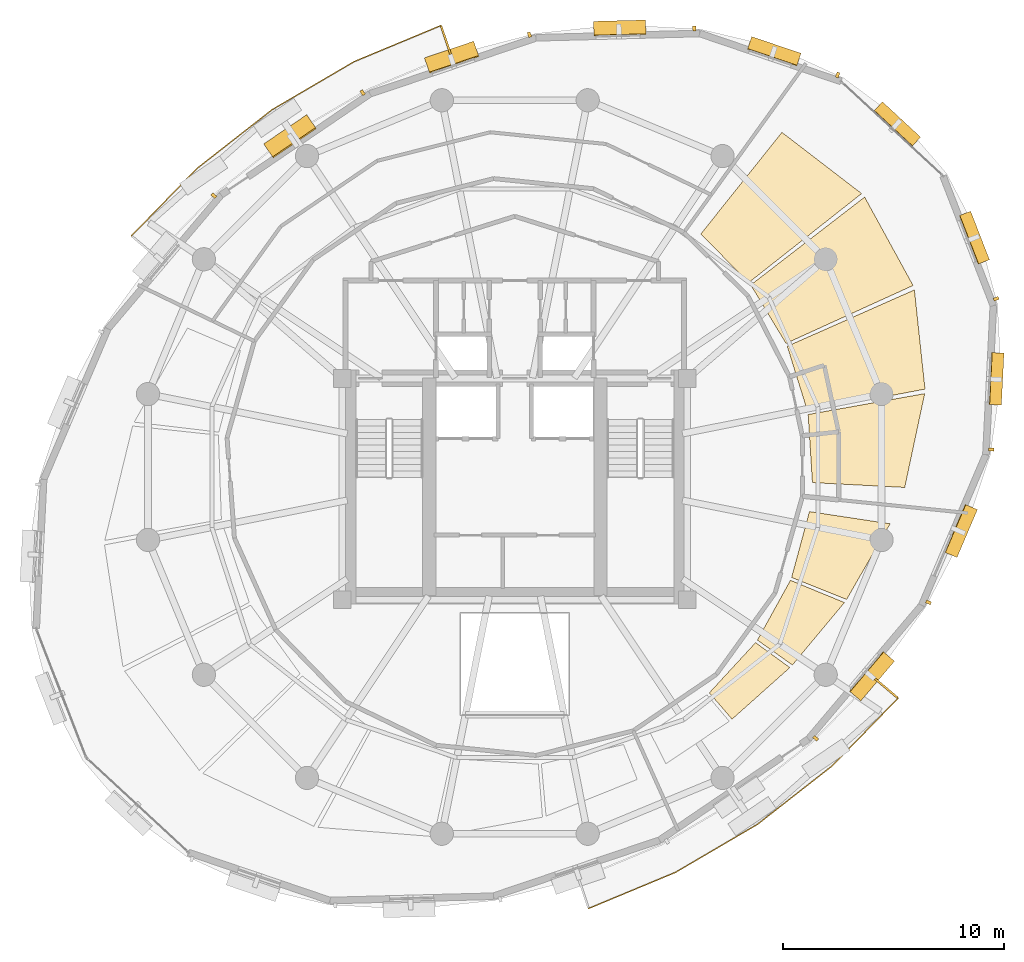
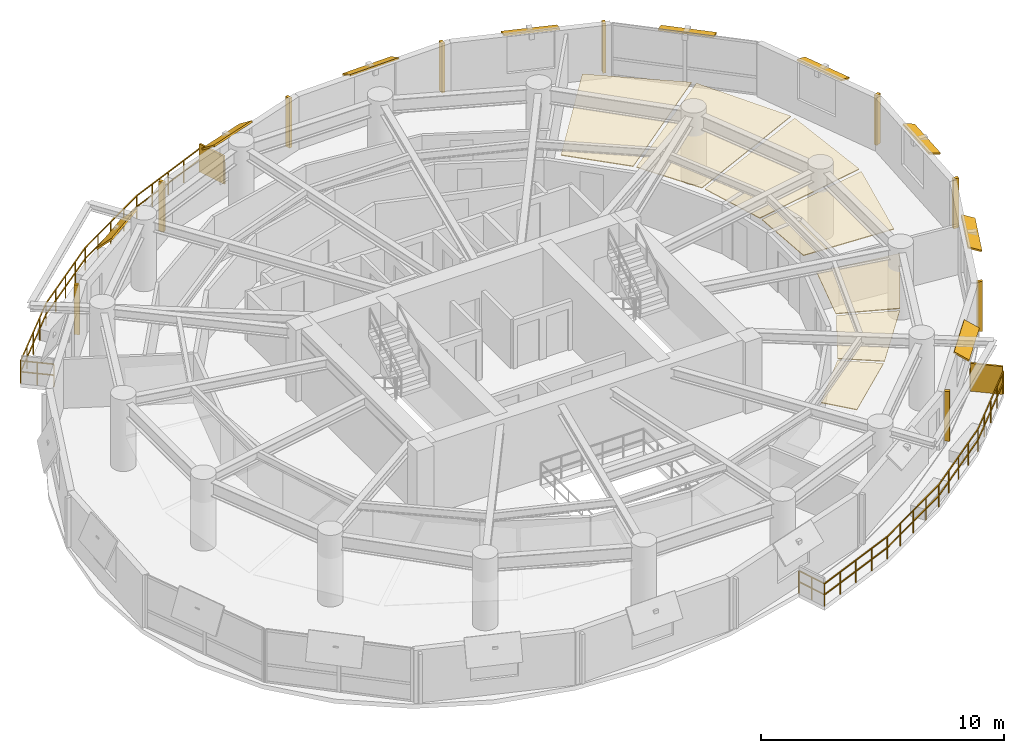
# One storey, part 12 of 12: 20 shading devices, 7 coverings, 2 railings.
"""IFC4 building model written with IfcOpenShell, lengths in metres."""

from ifc_helpers import new_model, si_unit, direction, frame, origin, origin_2d, place, context, subcontext, project, spatial, polyline, rectangle, outline, extrude, material, layer, layer_set, type_object, element, save


model = new_model("IFC4")

# Units and contexts
model_context = context("Model", 3, precision=1e-05, world=origin(), true_north=direction((0.0, 1.0)))
body_context = subcontext(model_context, "Body", "Model", "MODEL_VIEW")
ifc_project = project(units=[si_unit("LENGTHUNIT", "METRE"), si_unit("AREAUNIT", "SQUARE_METRE"), si_unit("VOLUMEUNIT", "CUBIC_METRE"), si_unit("PLANEANGLEUNIT", "RADIAN"), si_unit("MASSUNIT", "GRAM", prefix="KILO"), si_unit("THERMODYNAMICTEMPERATUREUNIT", "KELVIN"), si_unit("POWERUNIT", "WATT")], contexts=[model_context])

# Site, building, storey
site_placement = place(None, origin())
site = spatial("IfcSite", under=ifc_project, at=site_placement, CompositionType="ELEMENT")
building_placement = place(site_placement, origin())
building = spatial("IfcBuilding", under=site, at=building_placement, Name="Ocrelia Relay Tower", CompositionType="ELEMENT")
storey_placement = place(building_placement, frame((0.0, 0.0, 177.199951171875)))
storey = spatial("IfcBuildingStorey", under=building, at=storey_placement, Name="L42", CompositionType="ELEMENT", Elevation=177.199951171875)

# Coverings
ifc_material_1 = material(Name="Mineral-fiber acoustic ceiling tile", Category="gypsum")
ifc_layer_1 = layer(ifc_material_1, 0.0400390625, Name="Mineral-fiber acoustic ceiling tile")
ifc_layer_set_1 = layer_set([ifc_layer_1], Name="Mineral-fiber acoustic ceiling tile")
covering_type = type_object("IfcCoveringType", Name="COV-CEIL-ACOUSTIC", PredefinedType="CEILING", material=ifc_layer_set_1)
covering_1_placement = place(storey_placement, frame((0.0, 0.0, 2.380126953125)))
element("IfcCovering", 1, at=covering_1_placement, inside=storey, type_object=covering_type, Name="L42 Project Meeting Room Suspended Ceiling 1", PredefinedType="CEILING", context=body_context, shape_type="SweptSolid", body=[
    extrude(outline(polyline([(47.451416015625, 25.294921875), (51.623779296875, 25.076416015625), (52.526611328125, 29.31689453125), (47.25927734375, 28.373779296875), (47.451416015625, 25.294921875)])), origin(), (0.0, 0.0, 1.0), 0.0400390625),
])
covering_2_placement = place(storey_placement, frame((0.0, 0.0, 2.380126953125)))
element("IfcCovering", 2, at=covering_2_placement, inside=storey, type_object=covering_type, Name="L42 Project Meeting Room Suspended Ceiling 2", PredefinedType="CEILING", context=body_context, shape_type="SweptSolid", body=[
    extrude(outline(polyline([(47.233642578125, 28.512451171875), (52.540283203125, 29.52001953125), (52.06201171875, 34.00390625), (46.31494140625, 31.457275390625), (47.233642578125, 28.512451171875)])), origin(), (0.0, 0.0, 1.0), 0.0400390625),
])
covering_3_placement = place(storey_placement, frame((0.0, 0.0, 2.380126953125)))
element("IfcCovering", 3, at=covering_3_placement, inside=storey, type_object=covering_type, Name="L42 Project Meeting Room Suspended Ceiling 3", PredefinedType="CEILING", context=body_context, shape_type="SweptSolid", body=[
    extrude(outline(polyline([(46.257080078125, 31.5859375), (52.001708984375, 34.203857421875), (49.81298828125, 38.19970703125), (44.6650390625, 34.22802734375), (46.257080078125, 31.5859375)])), origin(), (0.0, 0.0, 1.0), 0.0400390625),
])
covering_4_placement = place(storey_placement, frame((0.0, 0.0, 2.380126953125)))
element("IfcCovering", 4, at=covering_4_placement, inside=storey, type_object=covering_type, Name="L42 Project Meeting Room Suspended Ceiling 4", PredefinedType="CEILING", context=body_context, shape_type="SweptSolid", body=[
    extrude(outline(polyline([(44.578125, 34.339111328125), (49.676025390625, 38.35791015625), (46.07373046875, 41.12451171875), (42.40380859375, 36.527099609375), (44.578125, 34.339111328125)])), origin(), (0.0, 0.0, 1.0), 0.0400390625),
])
covering_5_placement = place(storey_placement, frame((0.0, 0.0, 2.380126953125)))
element("IfcCovering", 5, at=covering_5_placement, inside=storey, type_object=covering_type, Name="L42 Shift Staff Lounge Suspended Ceiling 2", PredefinedType="CEILING", context=body_context, shape_type="SweptSolid", body=[
    extrude(outline(polyline([(42.792724609375, 15.795654296875), (43.8193359375, 14.60400390625), (46.432861328125, 16.933837890625), (44.883544921875, 18.0634765625), (42.792724609375, 15.795654296875)])), origin(), (0.0, 0.0, 1.0), 0.0400390625),
])
covering_6_placement = place(storey_placement, frame((0.0, 0.0, 2.380126953125)))
element("IfcCovering", 6, at=covering_6_placement, inside=storey, type_object=covering_type, Name="L42 Shift Staff Lounge Suspended Ceiling 3", PredefinedType="CEILING", context=body_context, shape_type="SweptSolid", body=[
    extrude(outline(polyline([(44.966064453125, 18.177978515625), (46.54638671875, 17.050537109375), (48.898681640625, 19.87451171875), (46.4580078125, 20.8779296875), (44.966064453125, 18.177978515625)])), origin(), (0.0, 0.0, 1.0), 0.0400390625),
])
covering_7_placement = place(storey_placement, frame((0.0, 0.0, 2.380126953125)))
element("IfcCovering", 7, at=covering_7_placement, inside=storey, type_object=covering_type, Name="L42 Shift Staff Lounge Suspended Ceiling 4", PredefinedType="CEILING", context=body_context, shape_type="SweptSolid", body=[
    extrude(outline(polyline([(46.510986328125, 21.008544921875), (48.998779296875, 20.01611328125), (50.962890625, 23.4345703125), (47.318603515625, 23.98583984375), (46.510986328125, 21.008544921875)])), origin(), (0.0, 0.0, 1.0), 0.0400390625),
])

# Railings
ifc_material_2 = material(Name="Steel S355 balustrade", Category="steel")
railing_type = type_object("IfcRailingType", Name="RL-EXT-GUARD-1150", PredefinedType="GUARDRAIL", material=ifc_material_2)
railing_1_placement = place(storey_placement, frame((17.740966796875, 35.5498046875, 0.0)))
element("IfcRailing", 8, at=railing_1_placement, inside=storey, type_object=railing_type, Name="L42 Loggia Balcony Guard Rail B1", PredefinedType="GUARDRAIL", context=body_context, shape_type="SweptSolid", body=[
    extrude(rectangle(XDim=0.048095703125, YDim=0.048095703125, at=origin_2d()), frame((0.0, 0.0, 1.1259765625), z_axis=(-0.764315766504, 0.644842158263, 0.0), x_axis=(-0.644842158263, -0.764315766504, 0.0)), (0.0, 0.0, 1.0), 1.3935546875),
    extrude(rectangle(XDim=0.048095703125, YDim=0.048095703125, at=origin_2d()), frame((0.0, 0.0, 0.574951171875), z_axis=(-0.764315766504, 0.644842158263, 0.0), x_axis=(-0.644842158263, -0.764315766504, 0.0)), (0.0, 0.0, 1.0), 1.3935546875),
    extrude(rectangle(XDim=0.048095703125, YDim=0.048095703125, at=origin_2d()), frame((-1.065185546875, 0.898681640625, 1.1259765625), z_axis=(0.697048885119, 0.717023606135, 0.0), x_axis=(-0.717023606135, 0.697048885119, 0.0)), (0.0, 0.0, 1.0), 2.126708984375),
    extrude(rectangle(XDim=0.048095703125, YDim=0.048095703125, at=origin_2d()), frame((-1.065185546875, 0.898681640625, 0.574951171875), z_axis=(0.697048885119, 0.717023606135, 0.0), x_axis=(-0.717023606135, 0.697048885119, 0.0)), (0.0, 0.0, 1.0), 2.126708984375),
    extrude(rectangle(XDim=0.048095703125, YDim=0.048095703125, at=origin_2d()), frame((0.417236328125, 2.423583984375, 1.1259765625), z_axis=(0.696989858146, 0.717080984019, 0.0), x_axis=(-0.717080984019, 0.696989858146, 0.0)), (0.0, 0.0, 1.0), 2.12646484375),
    extrude(rectangle(XDim=0.048095703125, YDim=0.048095703125, at=origin_2d()), frame((0.417236328125, 2.423583984375, 0.574951171875), z_axis=(0.696989858146, 0.717080984019, 0.0), x_axis=(-0.717080984019, 0.696989858146, 0.0)), (0.0, 0.0, 1.0), 2.12646484375),
    extrude(rectangle(XDim=0.048095703125, YDim=0.048095703125, at=origin_2d()), frame((1.8994140625, 3.948486328125, 1.1259765625), z_axis=(0.78761523883, 0.616167376257, 0.0), x_axis=(-0.616167376257, 0.78761523883, 0.0)), (0.0, 0.0, 1.0), 4.299072265625),
    extrude(rectangle(XDim=0.048095703125, YDim=0.048095703125, at=origin_2d()), frame((1.8994140625, 3.948486328125, 0.574951171875), z_axis=(0.78761523883, 0.616167376257, 0.0), x_axis=(-0.616167376257, 0.78761523883, 0.0)), (0.0, 0.0, 1.0), 4.299072265625),
    extrude(rectangle(XDim=0.048095703125, YDim=0.048095703125, at=origin_2d()), frame((5.285400390625, 6.597412109375, 1.1259765625), z_axis=(0.862842318083, 0.505473178443, 0.0), x_axis=(-0.505473178443, 0.862842318083, 0.0)), (0.0, 0.0, 1.0), 4.299072265625),
    extrude(rectangle(XDim=0.048095703125, YDim=0.048095703125, at=origin_2d()), frame((5.285400390625, 6.597412109375, 0.574951171875), z_axis=(0.862842318083, 0.505473178443, 0.0), x_axis=(-0.505473178443, 0.862842318083, 0.0)), (0.0, 0.0, 1.0), 4.299072265625),
    extrude(rectangle(XDim=0.048095703125, YDim=0.048095703125, at=origin_2d()), frame((8.994873046875, 8.7705078125, 1.1259765625), z_axis=(0.92331452209, 0.384044650136, 0.0), x_axis=(-0.384044650136, 0.92331452209, 0.0)), (0.0, 0.0, 1.0), 2.12646484375),
    extrude(rectangle(XDim=0.048095703125, YDim=0.048095703125, at=origin_2d()), frame((8.994873046875, 8.7705078125, 0.574951171875), z_axis=(0.92331452209, 0.384044650136, 0.0), x_axis=(-0.384044650136, 0.92331452209, 0.0)), (0.0, 0.0, 1.0), 2.12646484375),
    extrude(rectangle(XDim=0.048095703125, YDim=0.048095703125, at=origin_2d()), frame((10.958251953125, 9.587158203125, 1.1259765625), z_axis=(0.923290745991, 0.384101807296, 0.0), x_axis=(-0.384101807296, 0.923290745991, 0.0)), (0.0, 0.0, 1.0), 2.126708984375),
    extrude(rectangle(XDim=0.048095703125, YDim=0.048095703125, at=origin_2d()), frame((10.958251953125, 9.587158203125, 0.574951171875), z_axis=(0.923290745991, 0.384101807296, 0.0), x_axis=(-0.384101807296, 0.923290745991, 0.0)), (0.0, 0.0, 1.0), 2.126708984375),
    extrude(rectangle(XDim=0.048095703125, YDim=0.048095703125, at=origin_2d()), frame((12.921875, 10.404052734375, 1.1259765625), z_axis=(0.318171874583, -0.948033047011, 0.0), x_axis=(0.948033047011, 0.318171874583, 0.0)), (0.0, 0.0, 1.0), 1.3935546875),
    extrude(rectangle(XDim=0.048095703125, YDim=0.048095703125, at=origin_2d()), frame((12.921875, 10.404052734375, 0.574951171875), z_axis=(0.318171874583, -0.948033047011, 0.0), x_axis=(0.948033047011, 0.318171874583, 0.0)), (0.0, 0.0, 1.0), 1.3935546875),
    extrude(rectangle(XDim=0.0419921875, YDim=0.0419921875, at=origin_2d()), origin(), (0.0, 0.0, 1.0), 1.101806640625),
    extrude(rectangle(XDim=0.0419921875, YDim=0.0419921875, at=origin_2d()), frame((-0.53271484375, 0.44921875, 0.0)), (0.0, 0.0, 1.0), 1.101806640625),
    extrude(rectangle(XDim=0.0419921875, YDim=0.0419921875, at=origin_2d()), frame((-1.065185546875, 0.898681640625, 0.0)), (0.0, 0.0, 1.0), 1.101806640625),
    extrude(rectangle(XDim=0.0419921875, YDim=0.0419921875, at=origin_2d()), frame((-0.323974609375, 1.6611328125, 0.0)), (0.0, 0.0, 1.0), 1.101806640625),
    extrude(rectangle(XDim=0.0419921875, YDim=0.0419921875, at=origin_2d()), frame((0.417236328125, 2.423583984375, 0.0)), (0.0, 0.0, 1.0), 1.101806640625),
    extrude(rectangle(XDim=0.0419921875, YDim=0.0419921875, at=origin_2d()), frame((1.158203125, 3.18603515625, 0.0)), (0.0, 0.0, 1.0), 1.101806640625),
    extrude(rectangle(XDim=0.0419921875, YDim=0.0419921875, at=origin_2d()), frame((1.8994140625, 3.948486328125, 0.0)), (0.0, 0.0, 1.0), 1.101806640625),
    extrude(rectangle(XDim=0.0419921875, YDim=0.0419921875, at=origin_2d()), frame((2.745849609375, 4.61083984375, 0.0)), (0.0, 0.0, 1.0), 1.101806640625),
    extrude(rectangle(XDim=0.0419921875, YDim=0.0419921875, at=origin_2d()), frame((3.59228515625, 5.27294921875, 0.0)), (0.0, 0.0, 1.0), 1.101806640625),
    extrude(rectangle(XDim=0.0419921875, YDim=0.0419921875, at=origin_2d()), frame((4.43896484375, 5.93505859375, 0.0)), (0.0, 0.0, 1.0), 1.101806640625),
    extrude(rectangle(XDim=0.0419921875, YDim=0.0419921875, at=origin_2d()), frame((5.285400390625, 6.597412109375, 0.0)), (0.0, 0.0, 1.0), 1.101806640625),
    extrude(rectangle(XDim=0.0419921875, YDim=0.0419921875, at=origin_2d()), frame((6.212890625, 7.140625, 0.0)), (0.0, 0.0, 1.0), 1.101806640625),
    extrude(rectangle(XDim=0.0419921875, YDim=0.0419921875, at=origin_2d()), frame((7.14013671875, 7.68408203125, 0.0)), (0.0, 0.0, 1.0), 1.101806640625),
    extrude(rectangle(XDim=0.0419921875, YDim=0.0419921875, at=origin_2d()), frame((8.0673828125, 8.227294921875, 0.0)), (0.0, 0.0, 1.0), 1.101806640625),
    extrude(rectangle(XDim=0.0419921875, YDim=0.0419921875, at=origin_2d()), frame((8.994873046875, 8.7705078125, 0.0)), (0.0, 0.0, 1.0), 1.101806640625),
    extrude(rectangle(XDim=0.0419921875, YDim=0.0419921875, at=origin_2d()), frame((9.9765625, 9.1787109375, 0.0)), (0.0, 0.0, 1.0), 1.101806640625),
    extrude(rectangle(XDim=0.0419921875, YDim=0.0419921875, at=origin_2d()), frame((10.958251953125, 9.587158203125, 0.0)), (0.0, 0.0, 1.0), 1.101806640625),
    extrude(rectangle(XDim=0.0419921875, YDim=0.0419921875, at=origin_2d()), frame((11.93994140625, 9.99560546875, 0.0)), (0.0, 0.0, 1.0), 1.101806640625),
    extrude(rectangle(XDim=0.0419921875, YDim=0.0419921875, at=origin_2d()), frame((12.921875, 10.404052734375, 0.0)), (0.0, 0.0, 1.0), 1.101806640625),
    extrude(rectangle(XDim=0.0419921875, YDim=0.0419921875, at=origin_2d()), frame((13.1435546875, 9.74365234375, 0.0)), (0.0, 0.0, 1.0), 1.101806640625),
    extrude(rectangle(XDim=0.0419921875, YDim=0.0419921875, at=origin_2d()), frame((13.365234375, 9.0830078125, 0.0)), (0.0, 0.0, 1.0), 1.101806640625),
])
railing_2_placement = place(storey_placement, frame((50.259033203125, 16.4501953125, 0.0)))
element("IfcRailing", 9, at=railing_2_placement, inside=storey, type_object=railing_type, Name="L42 Loggia Balcony Guard Rail B2", PredefinedType="GUARDRAIL", context=body_context, shape_type="SweptSolid", body=[
    extrude(rectangle(XDim=0.048095703125, YDim=0.048095703125, at=origin_2d()), frame((0.0, 0.0, 1.1259765625), z_axis=(0.764315766504, -0.644842158263, 0.0), x_axis=(0.644842158263, 0.764315766504, 0.0)), (0.0, 0.0, 1.0), 1.3935546875),
    extrude(rectangle(XDim=0.048095703125, YDim=0.048095703125, at=origin_2d()), frame((0.0, 0.0, 0.574951171875), z_axis=(0.764315766504, -0.644842158263, 0.0), x_axis=(0.644842158263, 0.764315766504, 0.0)), (0.0, 0.0, 1.0), 1.3935546875),
    extrude(rectangle(XDim=0.048095703125, YDim=0.048095703125, at=origin_2d()), frame((1.065185546875, -0.898681640625, 1.1259765625), z_axis=(-0.697048885119, -0.717023606135, 0.0), x_axis=(0.717023606135, -0.697048885119, 0.0)), (0.0, 0.0, 1.0), 2.126708984375),
    extrude(rectangle(XDim=0.048095703125, YDim=0.048095703125, at=origin_2d()), frame((1.065185546875, -0.898681640625, 0.574951171875), z_axis=(-0.697048885119, -0.717023606135, 0.0), x_axis=(0.717023606135, -0.697048885119, 0.0)), (0.0, 0.0, 1.0), 2.126708984375),
    extrude(rectangle(XDim=0.048095703125, YDim=0.048095703125, at=origin_2d()), frame((-0.417236328125, -2.423583984375, 1.1259765625), z_axis=(-0.696989858146, -0.717080984019, 0.0), x_axis=(0.717080984019, -0.696989858146, 0.0)), (0.0, 0.0, 1.0), 2.12646484375),
    extrude(rectangle(XDim=0.048095703125, YDim=0.048095703125, at=origin_2d()), frame((-0.417236328125, -2.423583984375, 0.574951171875), z_axis=(-0.696989858146, -0.717080984019, 0.0), x_axis=(0.717080984019, -0.696989858146, 0.0)), (0.0, 0.0, 1.0), 2.12646484375),
    extrude(rectangle(XDim=0.048095703125, YDim=0.048095703125, at=origin_2d()), frame((-1.8994140625, -3.948486328125, 1.1259765625), z_axis=(-0.78761523883, -0.616167376257, 0.0), x_axis=(0.616167376257, -0.78761523883, 0.0)), (0.0, 0.0, 1.0), 4.299072265625),
    extrude(rectangle(XDim=0.048095703125, YDim=0.048095703125, at=origin_2d()), frame((-1.8994140625, -3.948486328125, 0.574951171875), z_axis=(-0.78761523883, -0.616167376257, 0.0), x_axis=(0.616167376257, -0.78761523883, 0.0)), (0.0, 0.0, 1.0), 4.299072265625),
    extrude(rectangle(XDim=0.048095703125, YDim=0.048095703125, at=origin_2d()), frame((-5.285400390625, -6.597412109375, 1.1259765625), z_axis=(-0.862842318083, -0.505473178443, 0.0), x_axis=(0.505473178443, -0.862842318083, 0.0)), (0.0, 0.0, 1.0), 4.299072265625),
    extrude(rectangle(XDim=0.048095703125, YDim=0.048095703125, at=origin_2d()), frame((-5.285400390625, -6.597412109375, 0.574951171875), z_axis=(-0.862842318083, -0.505473178443, 0.0), x_axis=(0.505473178443, -0.862842318083, 0.0)), (0.0, 0.0, 1.0), 4.299072265625),
    extrude(rectangle(XDim=0.048095703125, YDim=0.048095703125, at=origin_2d()), frame((-8.994873046875, -8.7705078125, 1.1259765625), z_axis=(-0.92331452209, -0.384044650136, 0.0), x_axis=(0.384044650136, -0.92331452209, 0.0)), (0.0, 0.0, 1.0), 2.12646484375),
    extrude(rectangle(XDim=0.048095703125, YDim=0.048095703125, at=origin_2d()), frame((-8.994873046875, -8.7705078125, 0.574951171875), z_axis=(-0.92331452209, -0.384044650136, 0.0), x_axis=(0.384044650136, -0.92331452209, 0.0)), (0.0, 0.0, 1.0), 2.12646484375),
    extrude(rectangle(XDim=0.048095703125, YDim=0.048095703125, at=origin_2d()), frame((-10.958251953125, -9.587158203125, 1.1259765625), z_axis=(-0.923290745991, -0.384101807296, 0.0), x_axis=(0.384101807296, -0.923290745991, 0.0)), (0.0, 0.0, 1.0), 2.126708984375),
    extrude(rectangle(XDim=0.048095703125, YDim=0.048095703125, at=origin_2d()), frame((-10.958251953125, -9.587158203125, 0.574951171875), z_axis=(-0.923290745991, -0.384101807296, 0.0), x_axis=(0.384101807296, -0.923290745991, 0.0)), (0.0, 0.0, 1.0), 2.126708984375),
    extrude(rectangle(XDim=0.048095703125, YDim=0.048095703125, at=origin_2d()), frame((-12.921875, -10.404052734375, 1.1259765625), z_axis=(-0.318171874583, 0.948033047011, 0.0), x_axis=(-0.948033047011, -0.318171874583, 0.0)), (0.0, 0.0, 1.0), 1.3935546875),
    extrude(rectangle(XDim=0.048095703125, YDim=0.048095703125, at=origin_2d()), frame((-12.921875, -10.404052734375, 0.574951171875), z_axis=(-0.318171874583, 0.948033047011, 0.0), x_axis=(-0.948033047011, -0.318171874583, 0.0)), (0.0, 0.0, 1.0), 1.3935546875),
    extrude(rectangle(XDim=0.0419921875, YDim=0.0419921875, at=origin_2d()), origin(), (0.0, 0.0, 1.0), 1.101806640625),
    extrude(rectangle(XDim=0.0419921875, YDim=0.0419921875, at=origin_2d()), frame((0.53271484375, -0.44921875, 0.0)), (0.0, 0.0, 1.0), 1.101806640625),
    extrude(rectangle(XDim=0.0419921875, YDim=0.0419921875, at=origin_2d()), frame((1.065185546875, -0.898681640625, 0.0)), (0.0, 0.0, 1.0), 1.101806640625),
    extrude(rectangle(XDim=0.0419921875, YDim=0.0419921875, at=origin_2d()), frame((0.323974609375, -1.6611328125, 0.0)), (0.0, 0.0, 1.0), 1.101806640625),
    extrude(rectangle(XDim=0.0419921875, YDim=0.0419921875, at=origin_2d()), frame((-0.417236328125, -2.423583984375, 0.0)), (0.0, 0.0, 1.0), 1.101806640625),
    extrude(rectangle(XDim=0.0419921875, YDim=0.0419921875, at=origin_2d()), frame((-1.158203125, -3.18603515625, 0.0)), (0.0, 0.0, 1.0), 1.101806640625),
    extrude(rectangle(XDim=0.0419921875, YDim=0.0419921875, at=origin_2d()), frame((-1.8994140625, -3.948486328125, 0.0)), (0.0, 0.0, 1.0), 1.101806640625),
    extrude(rectangle(XDim=0.0419921875, YDim=0.0419921875, at=origin_2d()), frame((-2.745849609375, -4.61083984375, 0.0)), (0.0, 0.0, 1.0), 1.101806640625),
    extrude(rectangle(XDim=0.0419921875, YDim=0.0419921875, at=origin_2d()), frame((-3.59228515625, -5.27294921875, 0.0)), (0.0, 0.0, 1.0), 1.101806640625),
    extrude(rectangle(XDim=0.0419921875, YDim=0.0419921875, at=origin_2d()), frame((-4.43896484375, -5.93505859375, 0.0)), (0.0, 0.0, 1.0), 1.101806640625),
    extrude(rectangle(XDim=0.0419921875, YDim=0.0419921875, at=origin_2d()), frame((-5.285400390625, -6.597412109375, 0.0)), (0.0, 0.0, 1.0), 1.101806640625),
    extrude(rectangle(XDim=0.0419921875, YDim=0.0419921875, at=origin_2d()), frame((-6.212890625, -7.140625, 0.0)), (0.0, 0.0, 1.0), 1.101806640625),
    extrude(rectangle(XDim=0.0419921875, YDim=0.0419921875, at=origin_2d()), frame((-7.14013671875, -7.68408203125, 0.0)), (0.0, 0.0, 1.0), 1.101806640625),
    extrude(rectangle(XDim=0.0419921875, YDim=0.0419921875, at=origin_2d()), frame((-8.0673828125, -8.227294921875, 0.0)), (0.0, 0.0, 1.0), 1.101806640625),
    extrude(rectangle(XDim=0.0419921875, YDim=0.0419921875, at=origin_2d()), frame((-8.994873046875, -8.7705078125, 0.0)), (0.0, 0.0, 1.0), 1.101806640625),
    extrude(rectangle(XDim=0.0419921875, YDim=0.0419921875, at=origin_2d()), frame((-9.9765625, -9.1787109375, 0.0)), (0.0, 0.0, 1.0), 1.101806640625),
    extrude(rectangle(XDim=0.0419921875, YDim=0.0419921875, at=origin_2d()), frame((-10.958251953125, -9.587158203125, 0.0)), (0.0, 0.0, 1.0), 1.101806640625),
    extrude(rectangle(XDim=0.0419921875, YDim=0.0419921875, at=origin_2d()), frame((-11.93994140625, -9.99560546875, 0.0)), (0.0, 0.0, 1.0), 1.101806640625),
    extrude(rectangle(XDim=0.0419921875, YDim=0.0419921875, at=origin_2d()), frame((-12.921875, -10.404052734375, 0.0)), (0.0, 0.0, 1.0), 1.101806640625),
    extrude(rectangle(XDim=0.0419921875, YDim=0.0419921875, at=origin_2d()), frame((-13.1435546875, -9.74365234375, 0.0)), (0.0, 0.0, 1.0), 1.101806640625),
    extrude(rectangle(XDim=0.0419921875, YDim=0.0419921875, at=origin_2d()), frame((-13.365234375, -9.0830078125, 0.0)), (0.0, 0.0, 1.0), 1.101806640625),
])

# Shading devices
ifc_material_3 = material(Name="Perforated oxide terracotta solar screen", Category="masonry")
ifc_layer_2 = layer(ifc_material_3, 0.090087890625, Name="Perforated oxide terracotta solar screen")
ifc_layer_set_2 = layer_set([ifc_layer_2], Name="Perforated oxide terracotta solar screen")
shading_device_type_1 = type_object("IfcShadingDeviceType", Name="SH-BALC-SCREEN", PredefinedType="USERDEFINED", material=ifc_layer_set_2)
for number, where, z_axis, x_axis, name in (
    (10, (30.884521484375, 45.293212890625, 0.0), (0.0, 0.0, 1.0), (-0.31820780193, 0.948020988582, 0.0), "L42 Balcony Perforated Terracotta Screen B1-1"),
    (11, (50.79150390625, 16.0009765625, 0.0), (0.0, 0.0, 1.0), (0.76428927285, -0.644873559239, 0.0), "L42 Balcony Perforated Terracotta Screen B2-2"),
):
    element("IfcShadingDevice", number, at=place(storey_placement, frame(where, z_axis=z_axis, x_axis=x_axis)), inside=storey, type_object=shading_device_type_1, Name=name, ObjectType="SCREEN", PredefinedType="USERDEFINED", context=body_context, shape_type="SweptSolid", body=[
        extrude(rectangle(XDim=1.340087890625, YDim=0.090087890625, at=origin_2d()), origin(), (0.0, 0.0, 1.0), 1.39990234375),
    ])
ifc_material_4 = material(Name="Extruded oxide terracotta vertical baguette", Category="masonry")
shading_device_type_2 = type_object("IfcShadingDeviceType", Name="SH-TERR-BAGUETTE", PredefinedType="USERDEFINED", material=ifc_material_4)
for number, where, z_axis, x_axis, name in (
    (12, (48.592041015625, 43.718017578125, 0.080078125), (0.0, 0.0, 1.0), (-0.946896749251, 0.321537783561, 0.0), "L42 Oxide Terracotta Vertical Baguette 02"),
    (13, (42.112548828125, 45.8154296875, 0.080078125), (0.0, 0.0, 1.0), (-0.999655358525, -0.026251936536, 0.0), "L42 Oxide Terracotta Vertical Baguette 03"),
    (14, (34.66259765625, 45.538818359375, 0.080078125), (0.0, 0.0, 1.0), (-0.947535460994, -0.319650668948, 0.0), "L42 Oxide Terracotta Vertical Baguette 04"),
    (15, (27.12451171875, 42.919189453125, 0.080078125), (0.0, 0.0, 1.0), (-0.827082100661, -0.562081131836, 0.0), "L42 Oxide Terracotta Vertical Baguette 05"),
    (16, (20.400146484375, 38.26123046875, 0.080078125), (0.0, 0.0, 1.0), (-0.646010098491, -0.763328862711, 0.0), "L42 Oxide Terracotta Vertical Baguette 06"),
    (17, (47.599853515625, 13.73876953125, 0.080078125), (0.0, 0.0, 1.0), (0.646010098491, 0.763328862711, 0.0), "L42 Oxide Terracotta Vertical Baguette 15"),
    (18, (52.69580078125, 19.885498046875, 0.080078125), (0.0, 0.0, 1.0), (0.392412915575, 0.919789162629, 0.0), "L42 Oxide Terracotta Vertical Baguette 16"),
    (19, (55.53466796875, 26.78759765625, 0.080078125), (0.0, 0.0, 1.0), (0.049607084191, 0.998768810685, 0.0), "L42 Oxide Terracotta Vertical Baguette 17"),
    (20, (55.755126953125, 33.60302734375, 0.080078125), (0.0, 0.0, 1.0), (-0.361942340578, 0.932200483854, 0.0), "L42 Oxide Terracotta Vertical Baguette 18"),
):
    element("IfcShadingDevice", number, at=place(storey_placement, frame(where, z_axis=z_axis, x_axis=x_axis)), inside=storey, type_object=shading_device_type_2, Name=name, ObjectType="BAGUETTE", PredefinedType="USERDEFINED", context=body_context, shape_type="SweptSolid", body=[
        extrude(rectangle(XDim=0.139892578125, YDim=0.239990234375, at=origin_2d()), origin(), (0.0, 0.0, 1.0), 2.5),
    ])
ifc_material_5 = material(Name="Extruded oxide terracotta fin", Category="masonry")
ifc_layer_3 = layer(ifc_material_5, 0.080078125, Name="Extruded oxide terracotta fin")
ifc_layer_set_3 = layer_set([ifc_layer_3], Name="Extruded oxide terracotta fin")
shading_device_type_3 = type_object("IfcShadingDeviceType", Name="SH-VISOR-FIN-MED", PredefinedType="USERDEFINED", material=ifc_layer_set_3)
shading_device_1_placement = place(storey_placement, frame((31.155029296875, 44.498779296875, 2.46728515625), z_axis=(-0.184667041416, 0.547405612489, 0.816238432831), x_axis=(-0.947535460994, -0.319650668948, 0.0)))
element("IfcShadingDevice", 21, at=shading_device_1_placement, inside=storey, type_object=shading_device_type_3, Name="L42 Canted Terracotta Sun-Visor Fin 04", ObjectType="FIN", PredefinedType="USERDEFINED", context=body_context, shape_type="SweptSolid", body=[
    extrude(rectangle(XDim=2.35009765625, YDim=0.837890625, at=origin_2d()), origin(), (0.0, 0.0, 1.0), 0.080078125),
])
shading_device_2_placement = place(storey_placement, frame((23.858154296875, 40.92333984375, 2.47216796875), z_axis=(-0.403235399779, 0.593346338491, 0.696664434978), x_axis=(-0.827082100661, -0.562081131836, 0.0)))
element("IfcShadingDevice", 22, at=shading_device_2_placement, inside=storey, type_object=shading_device_type_3, Name="L42 Canted Terracotta Sun-Visor Fin 05", ObjectType="FIN", PredefinedType="USERDEFINED", context=body_context, shape_type="SweptSolid", body=[
    extrude(rectangle(XDim=2.35009765625, YDim=1.013916015625, at=origin_2d()), origin(), (0.0, 0.0, 1.0), 0.080078125),
])
ifc_layer_4 = layer(ifc_material_5, 0.080078125, Name="Extruded oxide terracotta fin")
ifc_layer_set_4 = layer_set([ifc_layer_4], Name="Extruded oxide terracotta fin")
shading_device_type_4 = type_object("IfcShadingDeviceType", Name="SH-VISOR-FIN-SHAL", PredefinedType="USERDEFINED", material=ifc_layer_set_4)
shading_device_3_placement = place(storey_placement, frame((51.278076171875, 41.4912109375, 2.462158203125), z_axis=(0.221623690647, 0.23916550444, 0.94534797891), x_axis=(-0.733494357886, 0.679695539892, 0.0)))
element("IfcShadingDevice", 23, at=shading_device_3_placement, inside=storey, type_object=shading_device_type_4, Name="L42 Canted Terracotta Sun-Visor Fin 01", ObjectType="FIN", PredefinedType="USERDEFINED", context=body_context, shape_type="SweptSolid", body=[
    extrude(rectangle(XDim=2.35009765625, YDim=0.56689453125, at=origin_2d()), origin(), (0.0, 0.0, 1.0), 0.080078125),
])
shading_device_4_placement = place(storey_placement, frame((45.722900390625, 44.775146484375, 2.462890625), z_axis=(0.119825519245, 0.352874220236, 0.927966394667), x_axis=(-0.946896749251, 0.321537783561, 0.0)))
element("IfcShadingDevice", 24, at=shading_device_4_placement, inside=storey, type_object=shading_device_type_4, Name="L42 Canted Terracotta Sun-Visor Fin 02", ObjectType="FIN", PredefinedType="USERDEFINED", context=body_context, shape_type="SweptSolid", body=[
    extrude(rectangle(XDim=2.35009765625, YDim=0.614990234375, at=origin_2d()), origin(), (0.0, 0.0, 1.0), 0.080078125),
])
shading_device_5_placement = place(storey_placement, frame((38.744384765625, 45.822998046875, 2.46435546875), z_axis=(-0.011950777663, 0.455077244033, 0.890371765543), x_axis=(-0.999655358525, -0.026251936536, 0.0)))
element("IfcShadingDevice", 25, at=shading_device_5_placement, inside=storey, type_object=shading_device_type_4, Name="L42 Canted Terracotta Sun-Visor Fin 03", ObjectType="FIN", PredefinedType="USERDEFINED", context=body_context, shape_type="SweptSolid", body=[
    extrude(rectangle(XDim=2.35009765625, YDim=0.700927734375, at=origin_2d()), origin(), (0.0, 0.0, 1.0), 0.080078125),
])
shading_device_6_placement = place(storey_placement, frame((50.128173828125, 16.55859375, 2.46484375), z_axis=(0.36258882984, -0.306861245682, 0.879980406813), x_axis=(0.646010098491, 0.763328862711, 0.0)))
element("IfcShadingDevice", 26, at=shading_device_6_placement, inside=storey, type_object=shading_device_type_4, Name="L42 Canted Terracotta Sun-Visor Fin 15", ObjectType="FIN", PredefinedType="USERDEFINED", context=body_context, shape_type="SweptSolid", body=[
    extrude(rectangle(XDim=2.35009765625, YDim=0.722900390625, at=origin_2d()), origin(), (0.0, 0.0, 1.0), 0.080078125),
])
shading_device_7_placement = place(storey_placement, frame((54.15673828125, 23.115966796875, 2.462890625), z_axis=(0.343219063775, -0.146428767558, 0.927771141119), x_axis=(0.392412915575, 0.919789162629, 0.0)))
element("IfcShadingDevice", 27, at=shading_device_7_placement, inside=storey, type_object=shading_device_type_4, Name="L42 Canted Terracotta Sun-Visor Fin 16", ObjectType="FIN", PredefinedType="USERDEFINED", context=body_context, shape_type="SweptSolid", body=[
    extrude(rectangle(XDim=2.35009765625, YDim=0.614990234375, at=origin_2d()), origin(), (0.0, 0.0, 1.0), 0.080078125),
])
shading_device_8_placement = place(storey_placement, frame((55.760009765625, 29.985595703125, 2.462158203125), z_axis=(0.321538869456, -0.015970268191, 0.946761694389), x_axis=(0.049607084191, 0.998768810685, 0.0)))
element("IfcShadingDevice", 28, at=shading_device_8_placement, inside=storey, type_object=shading_device_type_4, Name="L42 Canted Terracotta Sun-Visor Fin 17", ObjectType="FIN", PredefinedType="USERDEFINED", context=body_context, shape_type="SweptSolid", body=[
    extrude(rectangle(XDim=2.35009765625, YDim=0.56298828125, at=origin_2d()), origin(), (0.0, 0.0, 1.0), 0.080078125),
])
shading_device_9_placement = place(storey_placement, frame((54.76025390625, 36.360107421875, 2.4619140625), z_axis=(0.288220523875, 0.111906411572, 0.95100256817), x_axis=(-0.361942340578, 0.932200483854, 0.0)))
element("IfcShadingDevice", 29, at=shading_device_9_placement, inside=storey, type_object=shading_device_type_4, Name="L42 Canted Terracotta Sun-Visor Fin 18", ObjectType="FIN", PredefinedType="USERDEFINED", context=body_context, shape_type="SweptSolid", body=[
    extrude(rectangle(XDim=2.35009765625, YDim=0.550048828125, at=origin_2d()), origin(), (0.0, 0.0, 1.0), 0.080078125),
])

save(model, "model.ifc")
